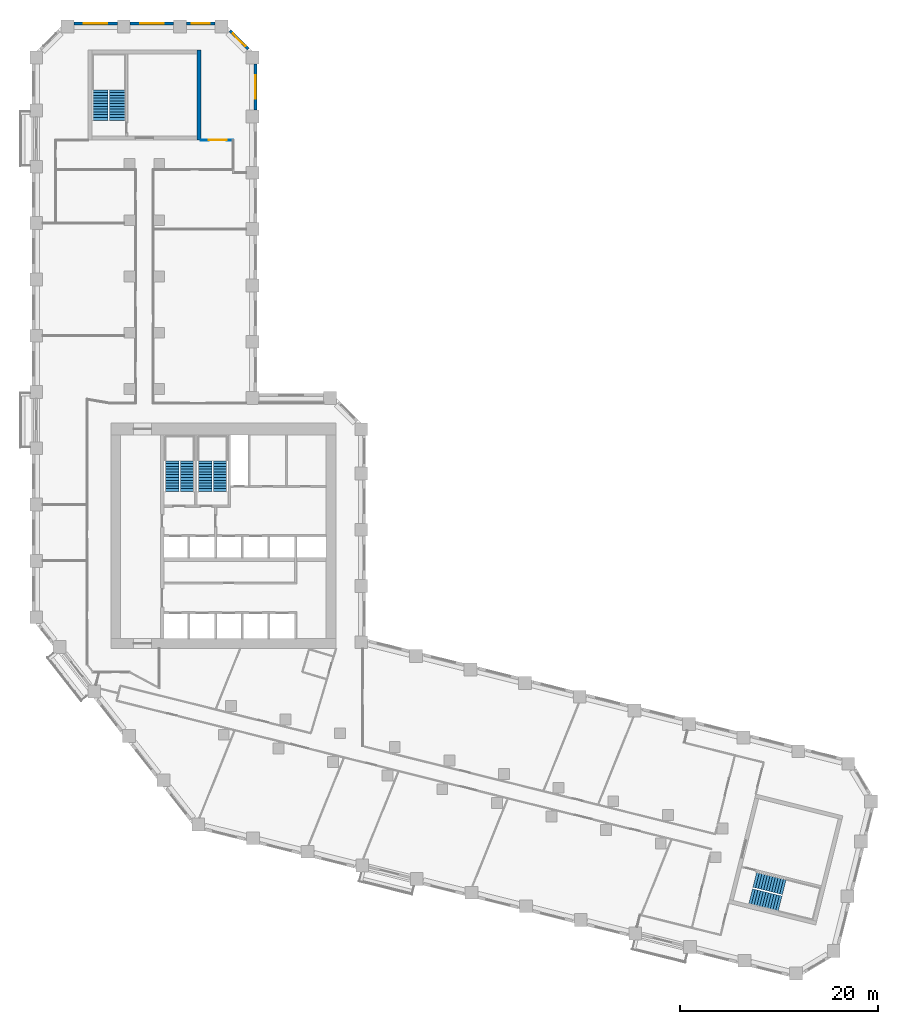
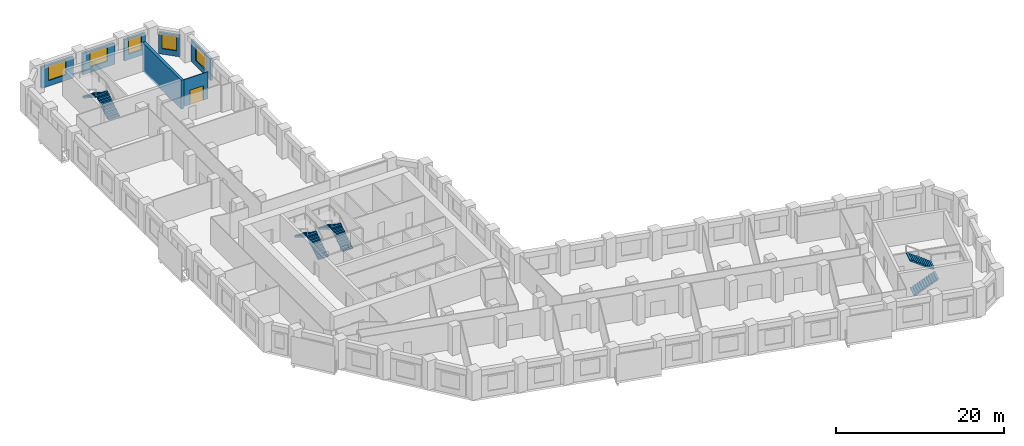
# One storey, part 9 of 10: 8 stair flights, 7 walls, 5 windows, 1 door, 6 openings, 4 elements without a shape of their own.
"""IFC4 building model written with IfcOpenShell, lengths in metres."""

from ifc_helpers import new_model, si_unit, direction, frame, frame_2d, origin, place, context, subcontext, project, spatial, polyline, rectangle, outline, extrude, material, layer, layer_set, type_object, element, fill, aggregate, save


model = new_model("IFC4")

# Units and contexts
model_context = context("Model", 3, precision=1e-05, world=origin(), true_north=direction((0.0, 1.0)))
body_context = subcontext(model_context, "Body", "Model", "MODEL_VIEW")
ifc_project = project(units=[si_unit("LENGTHUNIT", "METRE"), si_unit("AREAUNIT", "SQUARE_METRE"), si_unit("VOLUMEUNIT", "CUBIC_METRE"), si_unit("PLANEANGLEUNIT", "RADIAN"), si_unit("MASSUNIT", "GRAM", prefix="KILO")], contexts=[model_context])

# Site, building, storey
site_placement = place(None, origin())
site = spatial("IfcSite", under=ifc_project, at=site_placement, CompositionType="ELEMENT")
building_placement = place(site_placement, origin())
building = spatial("IfcBuilding", under=site, at=building_placement, Name="Meshkara Civic Tower", CompositionType="ELEMENT")
storey_placement = place(building_placement, frame((0.0, 0.0, 122.39990234375)))
storey = spatial("IfcBuildingStorey", under=building, at=storey_placement, Name="L27", CompositionType="ELEMENT", Elevation=122.39990234375)

# Wall, opening, door
ifc_material_1 = material(Name="Corridor wall 100")
ifc_layer_1 = layer(ifc_material_1, 0.10009765625)
ifc_layer_set_1 = layer_set([ifc_layer_1], Name="Corridor wall 100")
wall_type_1 = type_object("IfcWallType", Name="Corridor wall 100", PredefinedType="PARTITIONING", material=ifc_layer_set_1)
wall_1_placement = place(storey_placement, frame((20.39990234375, 65.570068359375, 0.0), z_axis=(0.0, 0.0, 1.0), x_axis=(-1.0, 0.0, 0.0)))
wall_1 = element("IfcWall", 1, at=wall_1_placement, inside=storey, type_object=wall_type_1, Name="L27-W018", PredefinedType="PARTITIONING", context=body_context, shape_type="SweptSolid", body=[
    extrude(rectangle(XDim=3.2998046875, YDim=0.10009765625, at=frame_2d((1.64990234375, 0.0))), origin(), (0.0, 0.0, 1.0), 3.900146484375),
])
opening_1_placement = place(wall_1_placement, frame((0.679931640625, 0.0, 0.0)))
opening_1 = element("IfcOpeningElement", 2, at=opening_1_placement, cuts=wall_1, Name="Opening L27-D026", PredefinedType="OPENING", context=body_context, shape_type="SweptSolid", body=[
    extrude(rectangle(XDim=1.800048828125, YDim=2.10009765625, at=frame_2d((0.89990234375, 1.050048828125))), frame((0.0, 0.06005859375, 0.0), z_axis=(0.0, -1.0, 0.0), x_axis=(1.0, 0.0, 0.0)), (0.0, 0.0, 1.0), 0.1201171875),
])
ifc_material_2 = material(Name="Door pair 1800 x 2100")
door_type = type_object("IfcDoorType", Name="Door pair 1800 x 2100", OperationType="SINGLE_SWING_LEFT", PredefinedType="DOOR", material=ifc_material_2)
door_placement = place(opening_1_placement, origin())
door = element("IfcDoor", 3, at=door_placement, inside=storey, type_object=door_type, Name="L27-D026", OperationType="DOUBLE_DOOR_SINGLE_SWING", OverallHeight=2.10009765625, OverallWidth=1.800048828125, PredefinedType="DOOR", context=body_context, shape_type="SweptSolid", body=[
    extrude(rectangle(XDim=1.800048828125, YDim=2.10009765625, at=frame_2d((0.89990234375, 1.050048828125))), frame((0.0, 0.02490234375, 0.0), z_axis=(0.0, -1.0, 0.0), x_axis=(1.0, 0.0, 0.0)), (0.0, 0.0, 1.0), 0.050048828125),
])
fill(opening_1, door)

# Wall, opening, window
ifc_material_3 = material(Name="Insulated infill panel with bronze anodised aluminium cladding", Category="aluminium")
ifc_layer_2 = layer(ifc_material_3, 0.300048828125)
ifc_layer_set_2 = layer_set([ifc_layer_2], Name="EXTERNAL INFILL WALL 300")
wall_type_2 = type_object("IfcWallType", Name="EXTERNAL INFILL WALL 300", PredefinedType="SOLIDWALL", material=ifc_layer_set_2)
wall_2_placement = place(storey_placement, frame((22.64990234375, 68.60009765625, 0.0), z_axis=(0.0, 0.0, 1.0), x_axis=(0.0, 1.0, 0.0)))
wall_2 = element("IfcWall", 4, at=wall_2_placement, inside=storey, type_object=wall_type_2, Name="External wall", PredefinedType="SOLIDWALL", context=body_context, shape_type="SweptSolid", body=[
    extrude(rectangle(XDim=4.663818359375, YDim=0.300048828125, at=frame_2d((2.33203125, 0.0))), origin(), (0.0, 0.0, 1.0), 3.10009765625),
])
opening_2_placement = place(wall_2_placement, frame((1.132080078125, 0.0, 0.800048828125)))
opening_2 = element("IfcOpeningElement", 5, at=opening_2_placement, cuts=wall_2, Name="Opening W7", PredefinedType="OPENING", context=body_context, shape_type="SweptSolid", body=[
    extrude(rectangle(XDim=2.39990234375, YDim=2.10009765625, at=frame_2d((1.199951171875, 1.050048828125))), frame((0.0, 0.159912109375, 0.0), z_axis=(0.0, -1.0, 0.0), x_axis=(1.0, 0.0, 0.0)), (0.0, 0.0, 1.0), 0.320068359375),
])
ifc_material_4 = material(Name="Tinted double glazing", Category="glass")
window_type_1 = type_object("IfcWindowType", Name="WINDOW 2400x2100", PartitioningType="DOUBLE_PANEL_VERTICAL", PredefinedType="WINDOW", material=ifc_material_4)
window_1_placement = place(opening_2_placement, origin())
window_1 = element("IfcWindow", 6, at=window_1_placement, inside=storey, type_object=window_type_1, Name="Window", OverallHeight=2.10009765625, OverallWidth=2.39990234375, PartitioningType="DOUBLE_PANEL_VERTICAL", PredefinedType="WINDOW", context=body_context, shape_type="SweptSolid", body=[
    extrude(rectangle(XDim=2.39990234375, YDim=2.10009765625, at=frame_2d((1.199951171875, 1.050048828125))), frame((0.0, 0.030029296875, 0.0), z_axis=(0.0, -1.0, 0.0), x_axis=(1.0, 0.0, 0.0)), (0.0, 0.0, 1.0), 0.06005859375),
])
fill(opening_2, window_1)

wall_3_placement = place(storey_placement, frame((21.912109375, 74.77587890625, 0.0), z_axis=(0.0, 0.0, 1.0), x_axis=(-0.707106781187, 0.707106781187, 0.0)))
wall_3 = element("IfcWall", 7, at=wall_3_placement, inside=storey, type_object=wall_type_2, Name="External wall", PredefinedType="SOLIDWALL", context=body_context, shape_type="SweptSolid", body=[
    extrude(rectangle(XDim=2.625, YDim=0.300048828125, at=frame_2d((1.3125, 0.0))), origin(), (0.0, 0.0, 1.0), 3.10009765625),
])
opening_3_placement = place(wall_3_placement, frame((0.412109375, 0.0, 0.800048828125)))
opening_3 = element("IfcOpeningElement", 8, at=opening_3_placement, cuts=wall_3, Name="Opening W9", PredefinedType="OPENING", context=body_context, shape_type="SweptSolid", body=[
    extrude(rectangle(XDim=1.800048828125, YDim=2.10009765625, at=frame_2d((0.89990234375, 1.050048828125))), frame((0.0, 0.159912109375, 0.0), z_axis=(0.0, -1.0, 0.0), x_axis=(1.0, 0.0, 0.0)), (0.0, 0.0, 1.0), 0.320068359375),
])
ifc_material_5 = material(Name="Tinted double glazing", Category="glass")
window_type_2 = type_object("IfcWindowType", Name="WINDOW 1800x2100", PartitioningType="DOUBLE_PANEL_VERTICAL", PredefinedType="WINDOW", material=ifc_material_5)
window_2_placement = place(opening_3_placement, origin())
window_2 = element("IfcWindow", 9, at=window_2_placement, inside=storey, type_object=window_type_2, Name="Window", OverallHeight=2.10009765625, OverallWidth=1.800048828125, PartitioningType="DOUBLE_PANEL_VERTICAL", PredefinedType="WINDOW", context=body_context, shape_type="SweptSolid", body=[
    extrude(rectangle(XDim=1.800048828125, YDim=2.10009765625, at=frame_2d((0.89990234375, 1.050048828125))), frame((0.0, 0.030029296875, 0.0), z_axis=(0.0, -1.0, 0.0), x_axis=(1.0, 0.0, 0.0)), (0.0, 0.0, 1.0), 0.06005859375),
])
fill(opening_3, window_2)

wall_4_placement = place(storey_placement, frame((18.5439453125, 77.3701171875, 0.0), z_axis=(0.0, 0.0, 1.0), x_axis=(-1.0, 0.0, 0.0)))
wall_4 = element("IfcWall", 10, at=wall_4_placement, inside=storey, type_object=wall_type_2, Name="External wall", PredefinedType="SOLIDWALL", context=body_context, shape_type="SweptSolid", body=[
    extrude(rectangle(XDim=2.887939453125, YDim=0.300048828125, at=frame_2d((1.44384765625, 0.0))), origin(), (0.0, 0.0, 1.0), 3.10009765625),
])
opening_4_placement = place(wall_4_placement, frame((0.5439453125, 0.0, 0.800048828125)))
opening_4 = element("IfcOpeningElement", 11, at=opening_4_placement, cuts=wall_4, Name="Opening W9", PredefinedType="OPENING", context=body_context, shape_type="SweptSolid", body=[
    extrude(rectangle(XDim=1.800048828125, YDim=2.10009765625, at=frame_2d((0.89990234375, 1.050048828125))), frame((0.0, 0.159912109375, 0.0), z_axis=(0.0, -1.0, 0.0), x_axis=(1.0, 0.0, 0.0)), (0.0, 0.0, 1.0), 0.320068359375),
])
window_3_placement = place(opening_4_placement, origin())
window_3 = element("IfcWindow", 12, at=window_3_placement, inside=storey, type_object=window_type_2, Name="Window", OverallHeight=2.10009765625, OverallWidth=1.800048828125, PartitioningType="DOUBLE_PANEL_VERTICAL", PredefinedType="WINDOW", context=body_context, shape_type="SweptSolid", body=[
    extrude(rectangle(XDim=1.800048828125, YDim=2.10009765625, at=frame_2d((0.89990234375, 1.050048828125))), frame((0.0, 0.030029296875, 0.0), z_axis=(0.0, -1.0, 0.0), x_axis=(1.0, 0.0, 0.0)), (0.0, 0.0, 1.0), 0.06005859375),
])
fill(opening_4, window_3)

wall_5_placement = place(storey_placement, frame((14.35595703125, 77.3701171875, 0.0), z_axis=(0.0, 0.0, 1.0), x_axis=(-1.0, 0.0, 0.0)))
wall_5 = element("IfcWall", 13, at=wall_5_placement, inside=storey, type_object=wall_type_2, Name="External wall", PredefinedType="SOLIDWALL", context=body_context, shape_type="SweptSolid", body=[
    extrude(rectangle(XDim=4.39990234375, YDim=0.300048828125, at=frame_2d((2.199951171875, 0.0))), origin(), (0.0, 0.0, 1.0), 3.10009765625),
])
opening_5_placement = place(wall_5_placement, frame((1.0, 0.0, 0.800048828125)))
opening_5 = element("IfcOpeningElement", 14, at=opening_5_placement, cuts=wall_5, Name="Opening W7", PredefinedType="OPENING", context=body_context, shape_type="SweptSolid", body=[
    extrude(rectangle(XDim=2.39990234375, YDim=2.10009765625, at=frame_2d((1.199951171875, 1.050048828125))), frame((0.0, 0.159912109375, 0.0), z_axis=(0.0, -1.0, 0.0), x_axis=(1.0, 0.0, 0.0)), (0.0, 0.0, 1.0), 0.320068359375),
])
window_4_placement = place(opening_5_placement, origin())
window_4 = element("IfcWindow", 15, at=window_4_placement, inside=storey, type_object=window_type_1, Name="Window", OverallHeight=2.10009765625, OverallWidth=2.39990234375, PartitioningType="DOUBLE_PANEL_VERTICAL", PredefinedType="WINDOW", context=body_context, shape_type="SweptSolid", body=[
    extrude(rectangle(XDim=2.39990234375, YDim=2.10009765625, at=frame_2d((1.199951171875, 1.050048828125))), frame((0.0, 0.030029296875, 0.0), z_axis=(0.0, -1.0, 0.0), x_axis=(1.0, 0.0, 0.0)), (0.0, 0.0, 1.0), 0.06005859375),
])
fill(opening_5, window_4)

wall_6_placement = place(storey_placement, frame((8.656005859375, 77.3701171875, 0.0), z_axis=(0.0, 0.0, 1.0), x_axis=(-1.0, 0.0, 0.0)))
wall_6 = element("IfcWall", 16, at=wall_6_placement, inside=storey, type_object=wall_type_2, Name="External wall", PredefinedType="SOLIDWALL", context=body_context, shape_type="SweptSolid", body=[
    extrude(rectangle(XDim=4.39990234375, YDim=0.300048828125, at=frame_2d((2.199951171875, 0.0))), origin(), (0.0, 0.0, 1.0), 3.10009765625),
])
opening_6_placement = place(wall_6_placement, frame((1.0, 0.0, 0.800048828125)))
opening_6 = element("IfcOpeningElement", 17, at=opening_6_placement, cuts=wall_6, Name="Opening W7", PredefinedType="OPENING", context=body_context, shape_type="SweptSolid", body=[
    extrude(rectangle(XDim=2.39990234375, YDim=2.10009765625, at=frame_2d((1.199951171875, 1.050048828125))), frame((0.0, 0.159912109375, 0.0), z_axis=(0.0, -1.0, 0.0), x_axis=(1.0, 0.0, 0.0)), (0.0, 0.0, 1.0), 0.320068359375),
])
window_5_placement = place(opening_6_placement, origin())
window_5 = element("IfcWindow", 18, at=window_5_placement, inside=storey, type_object=window_type_1, Name="Window", OverallHeight=2.10009765625, OverallWidth=2.39990234375, PartitioningType="DOUBLE_PANEL_VERTICAL", PredefinedType="WINDOW", context=body_context, shape_type="SweptSolid", body=[
    extrude(rectangle(XDim=2.39990234375, YDim=2.10009765625, at=frame_2d((1.199951171875, 1.050048828125))), frame((0.0, 0.030029296875, 0.0), z_axis=(0.0, -1.0, 0.0), x_axis=(1.0, 0.0, 0.0)), (0.0, 0.0, 1.0), 0.06005859375),
])
fill(opening_6, window_5)

# Wall
ifc_material_6 = material(Name="Concrete C70", Category="concrete")
ifc_layer_3 = layer(ifc_material_6, 0.39990234375)
ifc_layer_set_3 = layer_set([ifc_layer_3], Name="End core ring wall 400 C70")
wall_type_3 = type_object("IfcWallType", Name="End core ring wall 400 C70", PredefinedType="SHEAR", material=ifc_layer_set_3)
wall_7_placement = place(storey_placement, frame((16.89990234375, 65.570068359375, -0.2998046875), z_axis=(0.0, 0.0, 1.0), x_axis=(0.0, 1.0, 0.0)))
element("IfcWall", 19, at=wall_7_placement, inside=storey, type_object=wall_type_3, Name="L27-C027", PredefinedType="SHEAR", context=body_context, shape_type="SweptSolid", body=[
    extrude(rectangle(XDim=9.099853515625, YDim=0.39990234375, at=frame_2d((4.5498046875, 0.0))), origin(), (0.0, 0.0, 1.0), 4.199951171875),
])

# Stair, stair flights
ifc_material_7 = material(Name="Precast concrete C40/50", Category="concrete")
stair_type_1 = type_object("IfcStairType", Name="Exit stair half-turn 24 risers 1600 precast", PredefinedType="HALF_TURN_STAIR", material=ifc_material_7)
stair_1_placement = place(storey_placement, origin())
stair_1 = element("IfcStair", 20, at=stair_1_placement, inside=storey, type_object=stair_type_1, Name="L27 exit stair A from L20", PredefinedType="HALF_TURN_STAIR")
ifc_material_8 = material(Name="Precast concrete C40/50", Category="concrete")
stair_flight_type_1 = type_object("IfcStairFlightType", Name="Exit stair flight 12 risers 1600 precast", PredefinedType="STRAIGHT", material=ifc_material_8)
stair_flight_1_placement = place(storey_placement, frame((8.675048828125, 67.570068359375, 0.0), z_axis=(0.0, 0.0, 1.0), x_axis=(0.0, 1.0, 0.0)))
stair_flight_1 = element("IfcStairFlight", 21, at=stair_flight_1_placement, type_object=stair_flight_type_1, Name="ESA2 flight 1", NumberOfRisers=12, NumberOfTreads=11, PredefinedType="STRAIGHT", RiserHeight=0.175, TreadLength=0.28, context=body_context, shape_type="SweptSolid", body=[
    extrude(outline(polyline([(0.0, 0.0), (0.0, 0.175048828125), (0.280029296875, 0.175048828125), (0.280029296875, 0.35009765625), (0.56005859375, 0.35009765625), (0.56005859375, 0.52490234375), (0.840087890625, 0.52490234375), (0.840087890625, 0.699951171875), (1.1201171875, 0.699951171875), (1.1201171875, 0.875), (1.39990234375, 0.875), (1.39990234375, 1.050048828125), (1.679931640625, 1.050048828125), (1.679931640625, 1.22509765625), (1.9599609375, 1.22509765625), (1.9599609375, 1.39990234375), (2.239990234375, 1.39990234375), (2.239990234375, 1.574951171875), (2.52001953125, 1.574951171875), (2.52001953125, 1.75), (2.800048828125, 1.75), (2.800048828125, 1.925048828125), (3.080078125, 1.925048828125), (3.080078125, 2.10009765625), (3.080078125, 1.748291015625), (0.28271484375, 0.0), (0.0, 0.0)])), frame((0.0, 0.800048828125, 0.0), z_axis=(0.0, -1.0, 0.0), x_axis=(1.0, 0.0, 0.0)), (0.0, 0.0, 1.0), 1.60009765625),
])
stair_flight_2_placement = place(storey_placement, frame((6.925048828125, 70.64990234375, 2.10009765625), z_axis=(0.0, 0.0, 1.0), x_axis=(0.0, -1.0, 0.0)))
stair_flight_2 = element("IfcStairFlight", 22, at=stair_flight_2_placement, type_object=stair_flight_type_1, Name="ESA2 flight 2", NumberOfRisers=12, NumberOfTreads=11, PredefinedType="STRAIGHT", RiserHeight=0.175, TreadLength=0.28, context=body_context, shape_type="SweptSolid", body=[
    extrude(outline(polyline([(0.0, 0.0), (0.0, 0.175048828125), (0.280029296875, 0.175048828125), (0.280029296875, 0.35009765625), (0.56005859375, 0.35009765625), (0.56005859375, 0.52490234375), (0.840087890625, 0.52490234375), (0.840087890625, 0.699951171875), (1.1201171875, 0.699951171875), (1.1201171875, 0.875), (1.39990234375, 0.875), (1.39990234375, 1.050048828125), (1.679931640625, 1.050048828125), (1.679931640625, 1.22509765625), (1.9599609375, 1.22509765625), (1.9599609375, 1.39990234375), (2.239990234375, 1.39990234375), (2.239990234375, 1.574951171875), (2.52001953125, 1.574951171875), (2.52001953125, 1.75), (2.800048828125, 1.75), (2.800048828125, 1.925048828125), (3.080078125, 1.925048828125), (3.080078125, 2.10009765625), (3.080078125, 1.748291015625), (0.28271484375, 0.0), (0.0, 0.0)])), frame((0.0, 0.800048828125, 0.0), z_axis=(0.0, -1.0, 0.0), x_axis=(1.0, 0.0, 0.0)), (0.0, 0.0, 1.0), 1.60009765625),
])
aggregate(stair_1, [stair_flight_1, stair_flight_2])

stair_2_placement = place(storey_placement, origin())
stair_2 = element("IfcStair", 23, at=stair_2_placement, inside=storey, type_object=stair_type_1, Name="L27 exit stair B from L20", PredefinedType="HALF_TURN_STAIR")
stair_flight_3_placement = place(storey_placement, frame((72.7685546875, -11.00634765625, 0.0), z_axis=(0.0, 0.0, 1.0), x_axis=(0.970260066579, -0.242064873955, 0.0)))
stair_flight_3 = element("IfcStairFlight", 24, at=stair_flight_3_placement, type_object=stair_flight_type_1, Name="ESB2 flight 1", NumberOfRisers=12, NumberOfTreads=11, PredefinedType="STRAIGHT", RiserHeight=0.175, TreadLength=0.28, context=body_context, shape_type="SweptSolid", body=[
    extrude(outline(polyline([(0.0, 0.0), (0.0, 0.175048828125), (0.280029296875, 0.175048828125), (0.280029296875, 0.35009765625), (0.56005859375, 0.35009765625), (0.56005859375, 0.52490234375), (0.840087890625, 0.52490234375), (0.840087890625, 0.699951171875), (1.1201171875, 0.699951171875), (1.1201171875, 0.875), (1.39990234375, 0.875), (1.39990234375, 1.050048828125), (1.679931640625, 1.050048828125), (1.679931640625, 1.22509765625), (1.9599609375, 1.22509765625), (1.9599609375, 1.39990234375), (2.239990234375, 1.39990234375), (2.239990234375, 1.574951171875), (2.52001953125, 1.574951171875), (2.52001953125, 1.75), (2.800048828125, 1.75), (2.800048828125, 1.925048828125), (3.080078125, 1.925048828125), (3.080078125, 2.10009765625), (3.080078125, 1.748291015625), (0.28271484375, 0.0), (0.0, 0.0)])), frame((0.0, 0.800048828125, 0.0), z_axis=(0.0, -1.0, 0.0), x_axis=(1.0, 0.0, 0.0)), (0.0, 0.0, 1.0), 1.60009765625),
])
stair_flight_4_placement = place(storey_placement, frame((76.1806640625, -10.053955078125, 2.10009765625), z_axis=(0.0, 0.0, 1.0), x_axis=(-0.970260066579, 0.242064873955, 0.0)))
stair_flight_4 = element("IfcStairFlight", 25, at=stair_flight_4_placement, type_object=stair_flight_type_1, Name="ESB2 flight 2", NumberOfRisers=12, NumberOfTreads=11, PredefinedType="STRAIGHT", RiserHeight=0.175, TreadLength=0.28, context=body_context, shape_type="SweptSolid", body=[
    extrude(outline(polyline([(0.0, 0.0), (0.0, 0.175048828125), (0.280029296875, 0.175048828125), (0.280029296875, 0.35009765625), (0.56005859375, 0.35009765625), (0.56005859375, 0.52490234375), (0.840087890625, 0.52490234375), (0.840087890625, 0.699951171875), (1.1201171875, 0.699951171875), (1.1201171875, 0.875), (1.39990234375, 0.875), (1.39990234375, 1.050048828125), (1.679931640625, 1.050048828125), (1.679931640625, 1.22509765625), (1.9599609375, 1.22509765625), (1.9599609375, 1.39990234375), (2.239990234375, 1.39990234375), (2.239990234375, 1.574951171875), (2.52001953125, 1.574951171875), (2.52001953125, 1.75), (2.800048828125, 1.75), (2.800048828125, 1.925048828125), (3.080078125, 1.925048828125), (3.080078125, 2.10009765625), (3.080078125, 1.748291015625), (0.28271484375, 0.0), (0.0, 0.0)])), frame((0.0, 0.800048828125, 0.0), z_axis=(0.0, -1.0, 0.0), x_axis=(1.0, 0.0, 0.0)), (0.0, 0.0, 1.0), 1.60009765625),
])
aggregate(stair_2, [stair_flight_3, stair_flight_4])

ifc_material_9 = material(Name="Precast concrete C40/50", Category="concrete")
stair_type_2 = type_object("IfcStairType", Name="Exit stair half-turn 24 risers precast", PredefinedType="HALF_TURN_STAIR", material=ifc_material_9)
stair_3_placement = place(storey_placement, origin())
stair_3 = element("IfcStair", 26, at=stair_3_placement, inside=storey, type_object=stair_type_2, Name="L27 exit stair 1", PredefinedType="HALF_TURN_STAIR")
ifc_material_10 = material(Name="Precast concrete C40/50", Category="concrete")
stair_flight_type_2 = type_object("IfcStairFlightType", Name="Exit stair flight 12 risers precast", PredefinedType="STRAIGHT", material=ifc_material_10)
stair_flight_5_placement = place(storey_placement, frame((15.72509765625, 30.0, 0.0), z_axis=(0.0, 0.0, 1.0), x_axis=(0.0, 1.0, 0.0)))
stair_flight_5 = element("IfcStairFlight", 27, at=stair_flight_5_placement, type_object=stair_flight_type_2, Name="ST1 flight 1", NumberOfRisers=12, NumberOfTreads=11, PredefinedType="STRAIGHT", RiserHeight=0.175, TreadLength=0.28, context=body_context, shape_type="SweptSolid", body=[
    extrude(outline(polyline([(0.0, 0.0), (0.0, 0.175048828125), (0.280029296875, 0.175048828125), (0.280029296875, 0.35009765625), (0.56005859375, 0.35009765625), (0.56005859375, 0.52490234375), (0.840087890625, 0.52490234375), (0.840087890625, 0.699951171875), (1.1201171875, 0.699951171875), (1.1201171875, 0.875), (1.39990234375, 0.875), (1.39990234375, 1.050048828125), (1.679931640625, 1.050048828125), (1.679931640625, 1.22509765625), (1.9599609375, 1.22509765625), (1.9599609375, 1.39990234375), (2.239990234375, 1.39990234375), (2.239990234375, 1.574951171875), (2.52001953125, 1.574951171875), (2.52001953125, 1.75), (2.800048828125, 1.75), (2.800048828125, 1.925048828125), (3.080078125, 1.925048828125), (3.080078125, 2.10009765625), (3.080078125, 1.748291015625), (0.28271484375, 0.0), (0.0, 0.0)])), frame((0.0, 0.699951171875, 0.0), z_axis=(0.0, -1.0, 0.0), x_axis=(1.0, 0.0, 0.0)), (0.0, 0.0, 1.0), 1.39990234375),
])
stair_flight_6_placement = place(storey_placement, frame((14.175048828125, 33.080078125, 2.10009765625), z_axis=(0.0, 0.0, 1.0), x_axis=(0.0, -1.0, 0.0)))
stair_flight_6 = element("IfcStairFlight", 28, at=stair_flight_6_placement, type_object=stair_flight_type_2, Name="ST1 flight 2", NumberOfRisers=12, NumberOfTreads=11, PredefinedType="STRAIGHT", RiserHeight=0.175, TreadLength=0.28, context=body_context, shape_type="SweptSolid", body=[
    extrude(outline(polyline([(0.0, 0.0), (0.0, 0.175048828125), (0.280029296875, 0.175048828125), (0.280029296875, 0.35009765625), (0.56005859375, 0.35009765625), (0.56005859375, 0.52490234375), (0.840087890625, 0.52490234375), (0.840087890625, 0.699951171875), (1.1201171875, 0.699951171875), (1.1201171875, 0.875), (1.39990234375, 0.875), (1.39990234375, 1.050048828125), (1.679931640625, 1.050048828125), (1.679931640625, 1.22509765625), (1.9599609375, 1.22509765625), (1.9599609375, 1.39990234375), (2.239990234375, 1.39990234375), (2.239990234375, 1.574951171875), (2.52001953125, 1.574951171875), (2.52001953125, 1.75), (2.800048828125, 1.75), (2.800048828125, 1.925048828125), (3.080078125, 1.925048828125), (3.080078125, 2.10009765625), (3.080078125, 1.748291015625), (0.28271484375, 0.0), (0.0, 0.0)])), frame((0.0, 0.699951171875, 0.0), z_axis=(0.0, -1.0, 0.0), x_axis=(1.0, 0.0, 0.0)), (0.0, 0.0, 1.0), 1.39990234375),
])
aggregate(stair_3, [stair_flight_5, stair_flight_6])

stair_4_placement = place(storey_placement, origin())
stair_4 = element("IfcStair", 29, at=stair_4_placement, inside=storey, type_object=stair_type_2, Name="L27 exit stair 2", PredefinedType="HALF_TURN_STAIR")
stair_flight_7_placement = place(storey_placement, frame((19.074951171875, 30.0, 0.0), z_axis=(0.0, 0.0, 1.0), x_axis=(0.0, 1.0, 0.0)))
stair_flight_7 = element("IfcStairFlight", 30, at=stair_flight_7_placement, type_object=stair_flight_type_2, Name="ST2 flight 1", NumberOfRisers=12, NumberOfTreads=11, PredefinedType="STRAIGHT", RiserHeight=0.175, TreadLength=0.28, context=body_context, shape_type="SweptSolid", body=[
    extrude(outline(polyline([(0.0, 0.0), (0.0, 0.175048828125), (0.280029296875, 0.175048828125), (0.280029296875, 0.35009765625), (0.56005859375, 0.35009765625), (0.56005859375, 0.52490234375), (0.840087890625, 0.52490234375), (0.840087890625, 0.699951171875), (1.1201171875, 0.699951171875), (1.1201171875, 0.875), (1.39990234375, 0.875), (1.39990234375, 1.050048828125), (1.679931640625, 1.050048828125), (1.679931640625, 1.22509765625), (1.9599609375, 1.22509765625), (1.9599609375, 1.39990234375), (2.239990234375, 1.39990234375), (2.239990234375, 1.574951171875), (2.52001953125, 1.574951171875), (2.52001953125, 1.75), (2.800048828125, 1.75), (2.800048828125, 1.925048828125), (3.080078125, 1.925048828125), (3.080078125, 2.10009765625), (3.080078125, 1.748291015625), (0.28271484375, 0.0), (0.0, 0.0)])), frame((0.0, 0.699951171875, 0.0), z_axis=(0.0, -1.0, 0.0), x_axis=(1.0, 0.0, 0.0)), (0.0, 0.0, 1.0), 1.39990234375),
])
stair_flight_8_placement = place(storey_placement, frame((17.52490234375, 33.080078125, 2.10009765625), z_axis=(0.0, 0.0, 1.0), x_axis=(0.0, -1.0, 0.0)))
stair_flight_8 = element("IfcStairFlight", 31, at=stair_flight_8_placement, type_object=stair_flight_type_2, Name="ST2 flight 2", NumberOfRisers=12, NumberOfTreads=11, PredefinedType="STRAIGHT", RiserHeight=0.175, TreadLength=0.28, context=body_context, shape_type="SweptSolid", body=[
    extrude(outline(polyline([(0.0, 0.0), (0.0, 0.175048828125), (0.280029296875, 0.175048828125), (0.280029296875, 0.35009765625), (0.56005859375, 0.35009765625), (0.56005859375, 0.52490234375), (0.840087890625, 0.52490234375), (0.840087890625, 0.699951171875), (1.1201171875, 0.699951171875), (1.1201171875, 0.875), (1.39990234375, 0.875), (1.39990234375, 1.050048828125), (1.679931640625, 1.050048828125), (1.679931640625, 1.22509765625), (1.9599609375, 1.22509765625), (1.9599609375, 1.39990234375), (2.239990234375, 1.39990234375), (2.239990234375, 1.574951171875), (2.52001953125, 1.574951171875), (2.52001953125, 1.75), (2.800048828125, 1.75), (2.800048828125, 1.925048828125), (3.080078125, 1.925048828125), (3.080078125, 2.10009765625), (3.080078125, 1.748291015625), (0.28271484375, 0.0), (0.0, 0.0)])), frame((0.0, 0.699951171875, 0.0), z_axis=(0.0, -1.0, 0.0), x_axis=(1.0, 0.0, 0.0)), (0.0, 0.0, 1.0), 1.39990234375),
])
aggregate(stair_4, [stair_flight_7, stair_flight_8])

save(model, "model.ifc")
